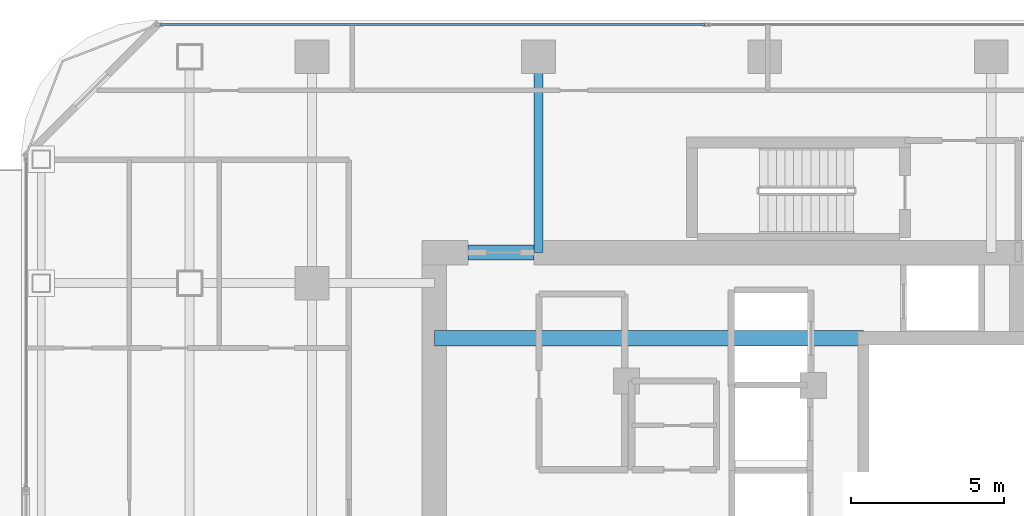
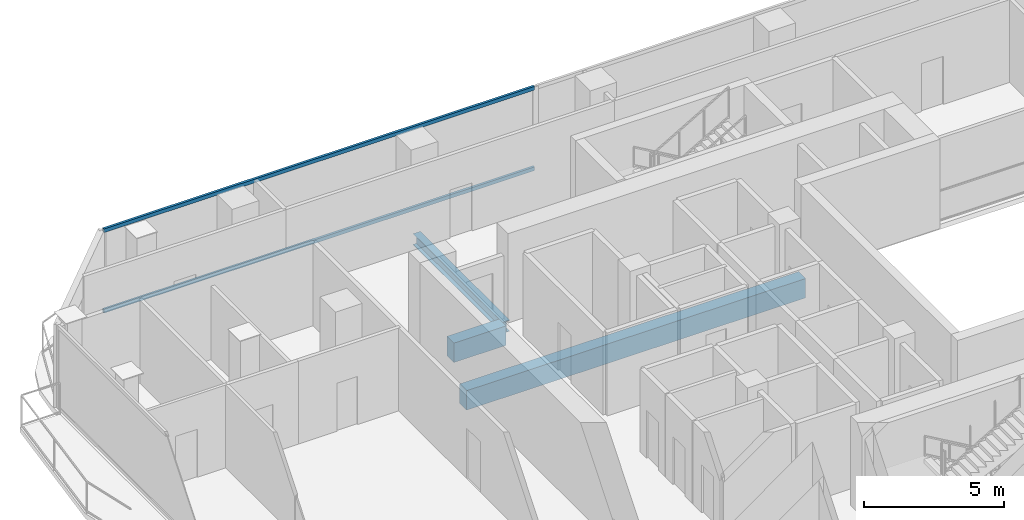
# One storey, part 12 of 24: 3 beams, 2 members, 1 element without a shape of its own.
"""IFC4 building model written with IfcOpenShell, lengths in metres."""

from ifc_helpers import new_model, si_unit, direction, frame, origin, origin_2d, place, context, subcontext, project, spatial, rectangle, hollow_rectangle, i_section, extrude, material, layer, layer_set, material_profile, profile_set, type_object, element, aggregate, save


model = new_model("IFC4")

# Units and contexts
model_context = context("Model", 3, precision=1e-05, world=origin(), true_north=direction((0.0, 1.0)))
body_context = subcontext(model_context, "Body", "Model", "MODEL_VIEW")
ifc_project = project(units=[si_unit("LENGTHUNIT", "METRE"), si_unit("AREAUNIT", "SQUARE_METRE"), si_unit("VOLUMEUNIT", "CUBIC_METRE"), si_unit("PLANEANGLEUNIT", "RADIAN"), si_unit("MASSUNIT", "GRAM", prefix="KILO")], contexts=[model_context])

# Site, building, storey
site_placement = place(None, origin())
site = spatial("IfcSite", under=ifc_project, at=site_placement, CompositionType="ELEMENT")
building_placement = place(site_placement, origin())
building = spatial("IfcBuilding", under=site, at=building_placement, Name="Khorvyn Point Tower", CompositionType="ELEMENT")
storey_placement = place(building_placement, frame((0.0, 0.0, 215.699951171875)))
storey = spatial("IfcBuildingStorey", under=building, at=storey_placement, Name="L53", CompositionType="ELEMENT", Elevation=215.699951171875)

# Curtain wall, members
ifc_material_1 = material(Name="Anodised aluminium 6063-T6 and laminated Low-E glass", Category="aluminium")
ifc_layer = layer(ifc_material_1, 0.18994140625)
ifc_layer_set = layer_set([ifc_layer], Name="Stick-Built Acoustic Curtain Wall CW-SYS-03")
curtain_wall_type = type_object("IfcCurtainWallType", Name="Stick-Built Acoustic Curtain Wall CW-SYS-03", PredefinedType="NOTDEFINED", material=ifc_layer_set)
curtain_wall_placement = place(storey_placement, origin())
curtain_wall = element("IfcCurtainWall", 1, at=curtain_wall_placement, inside=storey, type_object=curtain_wall_type, Name="Curtain Wall", PredefinedType="NOTDEFINED")
ifc_material_2 = material(Name="Anodised aluminium 6063-T6", Category="aluminium")
ifc_material_profile_1 = material_profile(ifc_material_2, hollow_rectangle(XDim=0.10009765625, YDim=0.159912109375, WallThickness=0.00439453125, at=origin_2d()))
ifc_profile_set_1 = profile_set([ifc_material_profile_1], Name="Anodised aluminium 6063-T6 ALU-TRN-100x160")
member_type = type_object("IfcMemberType", Name="Anodised Aluminium 6063-T6 Transom ALU-TRN-100x160", PredefinedType="USERDEFINED", material=ifc_profile_set_1)
member_1_placement = place(storey_placement, frame((-19.75, 15.85009765625, 0.050048828125), z_axis=(1.0, 0.0, 0.0), x_axis=(0.0, 1.0, 0.0)))
member_1 = element("IfcMember", 2, at=member_1_placement, type_object=member_type, Name="Transom", ObjectType="TRANSOM", PredefinedType="USERDEFINED", context=body_context, shape_type="SweptSolid", body=[
    extrude(hollow_rectangle(XDim=0.10009765625, YDim=0.159912109375, WallThickness=0.00439453125, at=origin_2d()), origin(), (0.0, 0.0, 1.0), 17.800048828125),
])
member_2_placement = place(storey_placement, frame((-19.75, 15.85009765625, 3.570068359375), z_axis=(1.0, 0.0, 0.0), x_axis=(0.0, 1.0, 0.0)))
member_2 = element("IfcMember", 3, at=member_2_placement, type_object=member_type, Name="Transom", ObjectType="TRANSOM", PredefinedType="USERDEFINED", context=body_context, shape_type="SweptSolid", body=[
    extrude(hollow_rectangle(XDim=0.10009765625, YDim=0.159912109375, WallThickness=0.00439453125, at=origin_2d()), origin(), (0.0, 0.0, 1.0), 17.800048828125),
])
aggregate(curtain_wall, [member_1, member_2])

# Beams
ifc_material_3 = material(Name="Concrete C45/55", Category="concrete")
ifc_material_profile_2 = material_profile(ifc_material_3, rectangle(XDim=0.5, YDim=0.85009765625, at=origin_2d()))
ifc_profile_set_2 = profile_set([ifc_material_profile_2], Name="Concrete C45/55 RC500x850")
beam_type_1 = type_object("IfcBeamType", Name="Concrete C45/55 Beam RC500x850", PredefinedType="BEAM", material=ifc_profile_set_2)
beam_1_placement = place(storey_placement, frame((-10.800048828125, 5.60009765625, -0.64501953125), z_axis=(1.0, 0.0, 0.0), x_axis=(0.0, 1.0, 0.0)))
element("IfcBeam", 4, at=beam_1_placement, inside=storey, type_object=beam_type_1, Name="L53 Core Internal Tie Girder N", PredefinedType="BEAM", context=body_context, shape_type="SweptSolid", body=[
    extrude(rectangle(XDim=0.5, YDim=0.85009765625, at=origin_2d()), origin(), (0.0, 0.0, 1.0), 14.02001953125),
])
beam_2_placement = place(storey_placement, frame((-9.699951171875, 8.39990234375, -0.64501953125), z_axis=(1.0, 0.0, 0.0), x_axis=(0.0, 1.0, 0.0)))
element("IfcBeam", 5, at=beam_2_placement, inside=storey, type_object=beam_type_1, Name="L53 Core Northwest Portal Coupling Beam", PredefinedType="BEAM", context=body_context, shape_type="SweptSolid", body=[
    extrude(rectangle(XDim=0.5, YDim=0.85009765625, at=origin_2d()), origin(), (0.0, 0.0, 1.0), 2.14990234375),
])
ifc_material_4 = material(Name="Steel S355", Category="steel")
ifc_material_profile_3 = material_profile(ifc_material_4, i_section(OverallWidth=0.300048828125, OverallDepth=0.488037109375, WebThickness=0.010986328125, FlangeThickness=0.01806640625, at=origin_2d()))
ifc_profile_set_3 = profile_set([ifc_material_profile_3], Name="Steel S355 H488x300x11x18")
beam_type_2 = type_object("IfcBeamType", Name="Steel S355 Spandrel H488x300x11x18", PredefinedType="SPANDREL", material=ifc_profile_set_3)
beam_3_placement = place(storey_placement, frame((-7.39990234375, 8.39990234375, -0.4638671875), z_axis=(0.0, 1.0, 0.0), x_axis=(-1.0, 0.0, 0.0)))
element("IfcBeam", 6, at=beam_3_placement, inside=storey, type_object=beam_type_2, Name="Beam", PredefinedType="SPANDREL", context=body_context, shape_type="SweptSolid", body=[
    extrude(i_section(OverallWidth=0.300048828125, OverallDepth=0.488037109375, WebThickness=0.010986328125, FlangeThickness=0.01806640625, at=origin_2d()), origin(), (0.0, 0.0, 1.0), 6.400146484375),
])

save(model, "model.ifc")
